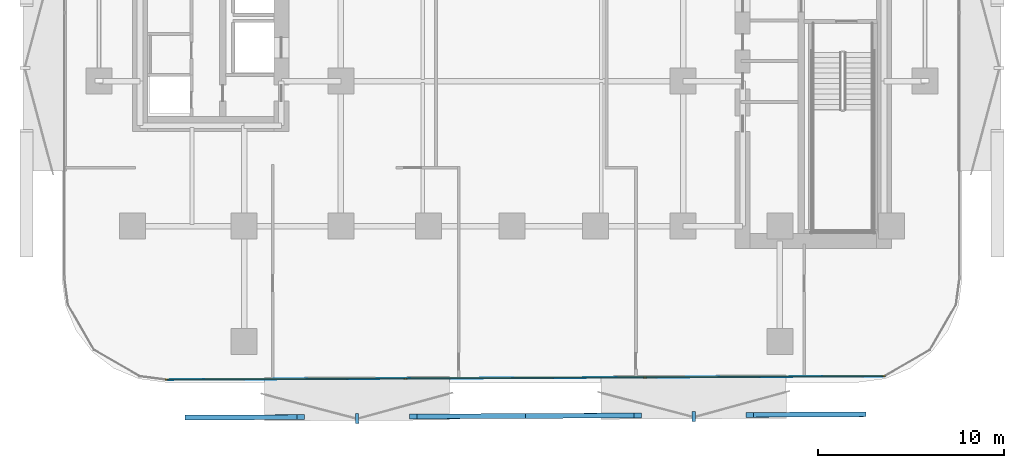
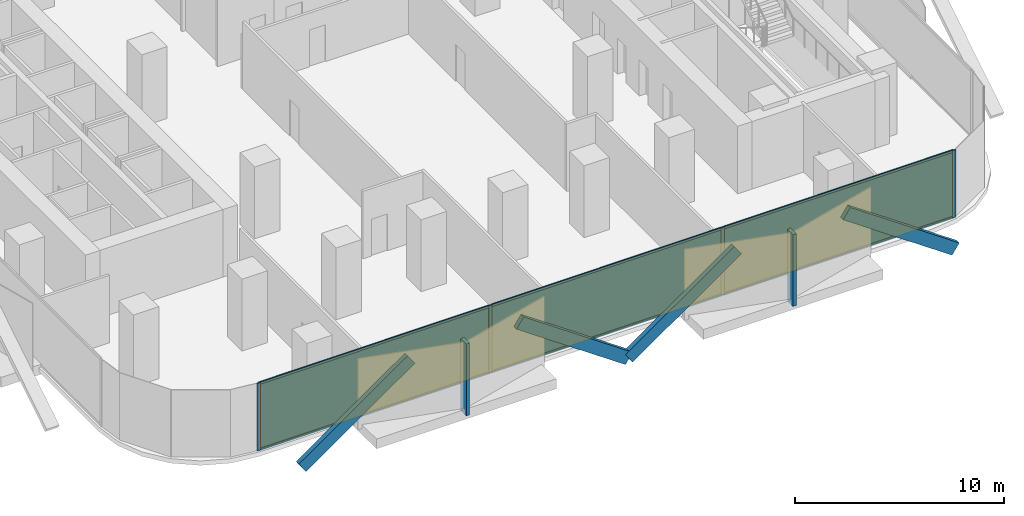
# One storey, part 7 of 15: 16 members, 3 plates, 1 curtain wall.
"""IFC4 building model written with IfcOpenShell, lengths in metres."""

from ifc_helpers import new_model, si_unit, direction, frame, frame_2d, origin, origin_2d, place, context, subcontext, project, spatial, rectangle, extrude, material, layer, layer_set, material_profile, profile_set, type_object, element, aggregate, save


model = new_model("IFC4")

# Units and contexts
model_context = context("Model", 3, precision=1e-05, world=origin(), true_north=direction((0.0, 1.0)))
body_context = subcontext(model_context, "Body", "Model", "MODEL_VIEW")
ifc_project = project(units=[si_unit("LENGTHUNIT", "METRE"), si_unit("AREAUNIT", "SQUARE_METRE"), si_unit("VOLUMEUNIT", "CUBIC_METRE"), si_unit("PLANEANGLEUNIT", "RADIAN"), si_unit("MASSUNIT", "GRAM", prefix="KILO")], contexts=[model_context])

# Member
ifc_material_1 = material(Name="Anodised Bronze Aluminium 6063-T6", Category="aluminium")
ifc_material_profile_1 = material_profile(ifc_material_1, rectangle(XDim=0.260009765625, YDim=0.699951171875, at=origin_2d()))
ifc_profile_set_1 = profile_set([ifc_material_profile_1], Name="Anodised Bronze Aluminium 6063-T6")
member_type_1 = type_object("IfcMemberType", Name="Bronze Diamond Solar-Screen Lattice Rib BDL-700", PredefinedType="MULLION", material=ifc_profile_set_1)
site_placement = place(None, origin())
building_placement = place(site_placement, origin())
storey_placement = place(building_placement, frame((0.0, 0.0, 76.39990234375)))
member_1_placement = place(storey_placement, frame((18.82275390625, -28.718505859375, -0.1298828125), z_axis=(-0.820743653079, -0.003984998518, 0.57128274586), x_axis=(-0.00764700594, 0.999962717129, -0.004010941449)))
member_1 = element("IfcMember", 1, at=member_1_placement, type_object=member_type_1, Name="L18 Bronze Diamond Solar Screen Lattice Rib 97A", PredefinedType="MULLION", context=body_context, shape_type="SweptSolid", body=[
    extrude(rectangle(XDim=0.260009765625, YDim=0.699951171875, at=origin_2d()), origin(), (0.0, 0.0, 1.0), 7.351806640625),
])

member_2_placement = place(storey_placement, frame((0.720947265625, -28.806396484375, -0.1298828125), z_axis=(0.820743653079, 0.003984998518, 0.57128274586), x_axis=(0.00764700594, -0.999962717129, -0.004010941449)))
member_2 = element("IfcMember", 2, at=member_2_placement, type_object=member_type_1, Name="L18 Bronze Diamond Solar Screen Lattice Rib 97B", PredefinedType="MULLION", context=body_context, shape_type="SweptSolid", body=[
    extrude(rectangle(XDim=0.260009765625, YDim=0.699951171875, at=origin_2d()), origin(), (0.0, 0.0, 1.0), 7.351806640625),
])

member_3_placement = place(storey_placement, frame((0.720947265625, -28.806396484375, -0.1298828125), z_axis=(-0.820743653079, -0.003984998518, 0.57128274586), x_axis=(-0.00764700594, 0.999962717129, -0.004010941449)))
member_3 = element("IfcMember", 3, at=member_3_placement, type_object=member_type_1, Name="L18 Bronze Diamond Solar Screen Lattice Rib 98A", PredefinedType="MULLION", context=body_context, shape_type="SweptSolid", body=[
    extrude(rectangle(XDim=0.260009765625, YDim=0.699951171875, at=origin_2d()), origin(), (0.0, 0.0, 1.0), 7.351806640625),
])

member_4_placement = place(storey_placement, frame((-17.380859375, -28.894287109375, -0.1298828125), z_axis=(0.820743653079, 0.003984998518, 0.57128274586), x_axis=(0.00764700594, -0.999962717129, -0.004010941449)))
member_4 = element("IfcMember", 4, at=member_4_placement, type_object=member_type_1, Name="L18 Bronze Diamond Solar Screen Lattice Rib 98B", PredefinedType="MULLION", context=body_context, shape_type="SweptSolid", body=[
    extrude(rectangle(XDim=0.260009765625, YDim=0.699951171875, at=origin_2d()), origin(), (0.0, 0.0, 1.0), 7.351806640625),
])

ifc_material_2 = material(Name="Anodised Bronze Aluminium 6063-T6", Category="aluminium")
ifc_material_profile_2 = material_profile(ifc_material_2, rectangle(XDim=0.179931640625, YDim=0.5400390625, at=origin_2d()))
ifc_profile_set_2 = profile_set([ifc_material_profile_2], Name="Anodised Bronze Aluminium 6063-T6")
member_type_2 = type_object("IfcMemberType", Name="Bronze Solar-Screen Vertical Fold Fin BSF-540", PredefinedType="MULLION", material=ifc_profile_set_2)
member_5_placement = place(storey_placement, frame((9.772216796875, -28.842529296875, -0.1298828125), z_axis=(0.0, 0.0, 1.0), x_axis=(-0.999988059021, -0.004886902454, 0.0)))
member_5 = element("IfcMember", 5, at=member_5_placement, type_object=member_type_2, Name="L18 Bronze Solar Screen Vertical Fin 97", PredefinedType="MULLION", context=body_context, shape_type="SweptSolid", body=[
    extrude(rectangle(XDim=0.179931640625, YDim=0.5400390625, at=origin_2d()), origin(), (0.0, 0.0, 1.0), 4.199951171875),
])

member_6_placement = place(storey_placement, frame((-8.32958984375, -28.930419921875, -0.1298828125), z_axis=(0.0, 0.0, 1.0), x_axis=(-0.999988059021, -0.004886902454, 0.0)))
member_6 = element("IfcMember", 6, at=member_6_placement, type_object=member_type_2, Name="L18 Bronze Solar Screen Vertical Fin 98", PredefinedType="MULLION", context=body_context, shape_type="SweptSolid", body=[
    extrude(rectangle(XDim=0.179931640625, YDim=0.5400390625, at=origin_2d()), origin(), (0.0, 0.0, 1.0), 4.199951171875),
])

ifc_material_3 = material(Name="Anodised Bronze Aluminium 6063-T6", Category="aluminium")
ifc_material_profile_3 = material_profile(ifc_material_3, rectangle(XDim=0.06494140625, YDim=0.179931640625, at=origin_2d()))
ifc_profile_set_3 = profile_set([ifc_material_profile_3], Name="Anodised Bronze Aluminium 6063-T6")
member_type_3 = type_object("IfcMemberType", Name="CW-Z1 Mullion 65x180", PredefinedType="MULLION", material=ifc_profile_set_3)
member_7_placement = place(storey_placement, frame((19.98046875, -26.6728515625, 0.0), z_axis=(0.0, 0.0, 1.0), x_axis=(0.004849219095, -0.999988242468, 0.0)))
member_7 = element("IfcMember", 7, at=member_7_placement, type_object=member_type_3, Name="CW-Z1 mullion 1", PredefinedType="MULLION", context=body_context, shape_type="SweptSolid", body=[
    extrude(rectangle(XDim=0.06494140625, YDim=0.179931640625, at=origin_2d()), origin(), (0.0, 0.0, 1.0), 3.940185546875),
])

member_8_placement = place(storey_placement, frame((7.14501953125, -26.735107421875, 0.0), z_axis=(0.0, 0.0, 1.0), x_axis=(0.004849219095, -0.999988242468, 0.0)))
member_8 = element("IfcMember", 8, at=member_8_placement, type_object=member_type_3, Name="CW-Z1 mullion 2", PredefinedType="MULLION", context=body_context, shape_type="SweptSolid", body=[
    extrude(rectangle(XDim=0.06494140625, YDim=0.179931640625, at=origin_2d()), origin(), (0.0, 0.0, 1.0), 3.940185546875),
])

member_9_placement = place(storey_placement, frame((-5.722900390625, -26.797607421875, 0.0), z_axis=(0.0, 0.0, 1.0), x_axis=(0.004849219095, -0.999988242468, 0.0)))
member_9 = element("IfcMember", 9, at=member_9_placement, type_object=member_type_3, Name="CW-Z1 mullion 3", PredefinedType="MULLION", context=body_context, shape_type="SweptSolid", body=[
    extrude(rectangle(XDim=0.06494140625, YDim=0.179931640625, at=origin_2d()), origin(), (0.0, 0.0, 1.0), 3.940185546875),
])

member_10_placement = place(storey_placement, frame((-18.558349609375, -26.85986328125, 0.0), z_axis=(0.0, 0.0, 1.0), x_axis=(0.004849219095, -0.999988242468, 0.0)))
member_10 = element("IfcMember", 10, at=member_10_placement, type_object=member_type_3, Name="CW-Z1 mullion 4", PredefinedType="MULLION", context=body_context, shape_type="SweptSolid", body=[
    extrude(rectangle(XDim=0.06494140625, YDim=0.179931640625, at=origin_2d()), origin(), (0.0, 0.0, 1.0), 3.940185546875),
])

ifc_material_4 = material(Name="Anodised Bronze Aluminium 6063-T6", Category="aluminium")
ifc_material_profile_4 = material_profile(ifc_material_4, rectangle(XDim=0.06494140625, YDim=0.139892578125, at=origin_2d()))
ifc_profile_set_4 = profile_set([ifc_material_profile_4], Name="Anodised Bronze Aluminium 6063-T6")
member_type_4 = type_object("IfcMemberType", Name="CW-Z1 Transom 65x140", PredefinedType="USERDEFINED", material=ifc_profile_set_4)
member_11_placement = place(storey_placement, frame((19.947998046875, -26.673095703125, 0.03271484375), z_axis=(-0.99998821055, -0.004855796541, 0.0), x_axis=(0.004855796541, -0.99998821055, 0.0)))
member_11 = element("IfcMember", 11, at=member_11_placement, type_object=member_type_4, Name="CW-Z1 transom 1.1", ObjectType="TRANSOM", PredefinedType="USERDEFINED", context=body_context, shape_type="SweptSolid", body=[
    extrude(rectangle(XDim=0.06494140625, YDim=0.139892578125, at=origin_2d()), origin(), (0.0, 0.0, 1.0), 12.770751953125),
])

member_12_placement = place(storey_placement, frame((19.947998046875, -26.673095703125, 3.90771484375), z_axis=(-0.99998821055, -0.004855796541, 0.0), x_axis=(0.004855796541, -0.99998821055, 0.0)))
member_12 = element("IfcMember", 12, at=member_12_placement, type_object=member_type_4, Name="CW-Z1 transom 1.2", ObjectType="TRANSOM", PredefinedType="USERDEFINED", context=body_context, shape_type="SweptSolid", body=[
    extrude(rectangle(XDim=0.06494140625, YDim=0.139892578125, at=origin_2d()), origin(), (0.0, 0.0, 1.0), 12.770751953125),
])

member_13_placement = place(storey_placement, frame((7.112548828125, -26.7353515625, 0.03271484375), z_axis=(-0.999988270274, -0.004843481639, 0.0), x_axis=(0.004843481639, -0.999988270274, 0.0)))
member_13 = element("IfcMember", 13, at=member_13_placement, type_object=member_type_4, Name="CW-Z1 transom 2.1", ObjectType="TRANSOM", PredefinedType="USERDEFINED", context=body_context, shape_type="SweptSolid", body=[
    extrude(rectangle(XDim=0.06494140625, YDim=0.139892578125, at=origin_2d()), origin(), (0.0, 0.0, 1.0), 12.80322265625),
])

member_14_placement = place(storey_placement, frame((7.112548828125, -26.7353515625, 3.90771484375), z_axis=(-0.999988270274, -0.004843481639, 0.0), x_axis=(0.004843481639, -0.999988270274, 0.0)))
member_14 = element("IfcMember", 14, at=member_14_placement, type_object=member_type_4, Name="CW-Z1 transom 2.2", ObjectType="TRANSOM", PredefinedType="USERDEFINED", context=body_context, shape_type="SweptSolid", body=[
    extrude(rectangle(XDim=0.06494140625, YDim=0.139892578125, at=origin_2d()), origin(), (0.0, 0.0, 1.0), 12.80322265625),
])

member_15_placement = place(storey_placement, frame((-5.75537109375, -26.7978515625, 0.03271484375), z_axis=(-0.999988303196, -0.00483667968, 0.0), x_axis=(0.00483667968, -0.999988303196, 0.0)))
member_15 = element("IfcMember", 15, at=member_15_placement, type_object=member_type_4, Name="CW-Z1 transom 3.1", ObjectType="TRANSOM", PredefinedType="USERDEFINED", context=body_context, shape_type="SweptSolid", body=[
    extrude(rectangle(XDim=0.06494140625, YDim=0.139892578125, at=origin_2d()), origin(), (0.0, 0.0, 1.0), 12.770751953125),
])

member_16_placement = place(storey_placement, frame((-5.75537109375, -26.7978515625, 3.90771484375), z_axis=(-0.999988303196, -0.00483667968, 0.0), x_axis=(0.00483667968, -0.999988303196, 0.0)))
member_16 = element("IfcMember", 16, at=member_16_placement, type_object=member_type_4, Name="CW-Z1 transom 3.2", ObjectType="TRANSOM", PredefinedType="USERDEFINED", context=body_context, shape_type="SweptSolid", body=[
    extrude(rectangle(XDim=0.06494140625, YDim=0.139892578125, at=origin_2d()), origin(), (0.0, 0.0, 1.0), 12.770751953125),
])

# Plate
ifc_material_5 = material(Name="Low-E Solar Control Laminated Glass", Category="glass")
ifc_layer_1 = layer(ifc_material_5, 0.028076171875, Name="Low-E Solar Control Laminated Glass")
ifc_layer_set_1 = layer_set([ifc_layer_1], Name="Low-E Solar Control Laminated Glass")
plate_type = type_object("IfcPlateType", Name="CW-Z1 Low-E Double Glazed Panel 28mm", PredefinedType="CURTAIN_PANEL", material=ifc_layer_set_1)
plate_1_placement = place(storey_placement, frame((13.562744140625, -26.7041015625, 0.065185546875), z_axis=(0.0, 0.0, 1.0), x_axis=(-0.999988242468, -0.004849219095, 0.0)))
plate_1 = element("IfcPlate", 17, at=plate_1_placement, type_object=plate_type, Name="CW-Z1 panel 1.1", PredefinedType="CURTAIN_PANEL", context=body_context, shape_type="SweptSolid", body=[
    extrude(rectangle(XDim=12.7705078125, YDim=0.028076171875, at=origin_2d()), origin(), (0.0, 0.0, 1.0), 3.81005859375),
])

plate_2_placement = place(storey_placement, frame((0.7109375, -26.766357421875, 0.065185546875), z_axis=(0.0, 0.0, 1.0), x_axis=(-0.999988242468, -0.004849219095, 0.0)))
plate_2 = element("IfcPlate", 18, at=plate_2_placement, type_object=plate_type, Name="CW-Z1 panel 2.1", PredefinedType="CURTAIN_PANEL", context=body_context, shape_type="SweptSolid", body=[
    extrude(rectangle(XDim=12.802978515625, YDim=0.028076171875, at=origin_2d()), origin(), (0.0, 0.0, 1.0), 3.81005859375),
])

plate_3_placement = place(storey_placement, frame((-12.140625, -26.82861328125, 0.065185546875), z_axis=(0.0, 0.0, 1.0), x_axis=(-0.999988242468, -0.004849219095, 0.0)))
plate_3 = element("IfcPlate", 19, at=plate_3_placement, type_object=plate_type, Name="CW-Z1 panel 3.1", PredefinedType="CURTAIN_PANEL", context=body_context, shape_type="SweptSolid", body=[
    extrude(rectangle(XDim=12.7705078125, YDim=0.028076171875, at=origin_2d()), origin(), (0.0, 0.0, 1.0), 3.81005859375),
])

# Site, building, storey
site = spatial("IfcSite", under=ifc_project, at=site_placement, CompositionType="ELEMENT")
building = spatial("IfcBuilding", under=site, at=building_placement, Name="Khairoan Windgate Tower", CompositionType="ELEMENT")
storey = spatial("IfcBuildingStorey", under=building, at=storey_placement, Name="L18", CompositionType="ELEMENT", Elevation=76.39990234375)

# Curtain wall
ifc_material_6 = material(Name="Anodised Bronze Aluminium 6063-T6", Category="aluminium")
ifc_layer_2 = layer(ifc_material_6, 0.179931640625, Name="Anodised Bronze Aluminium 6063-T6")
ifc_layer_set_2 = layer_set([ifc_layer_2], Name="Anodised Bronze Aluminium 6063-T6")
curtain_wall_type = type_object("IfcCurtainWallType", Name="Low-Rise Office Unitised Curtain Wall CW-Z1", PredefinedType="NOTDEFINED", material=ifc_layer_set_2)
curtain_wall_placement = place(storey_placement, frame((20.012939453125, -26.6728515625, 0.0), z_axis=(0.0, 0.0, 1.0), x_axis=(-0.999988235487, -0.004850658525, 0.0)))
curtain_wall = element("IfcCurtainWall", 20, at=curtain_wall_placement, inside=storey, type_object=curtain_wall_type, Name="L18 Unitised Curtain Wall 1", PredefinedType="NOTDEFINED", context=body_context, shape_type="SweptSolid", body=[
    extrude(rectangle(XDim=38.604248046875, YDim=0.010009765625, at=frame_2d((19.30224609375, 0.0))), origin(), (0.0, 0.0, 1.0), 3.940185546875),
])

aggregate(curtain_wall, [member_7, member_8, member_9, member_10, member_11, member_12, plate_1, member_13, member_14, plate_2, member_15, member_16, plate_3, member_1, member_2, member_5, member_3, member_4, member_6])

save(model, "model.ifc")
